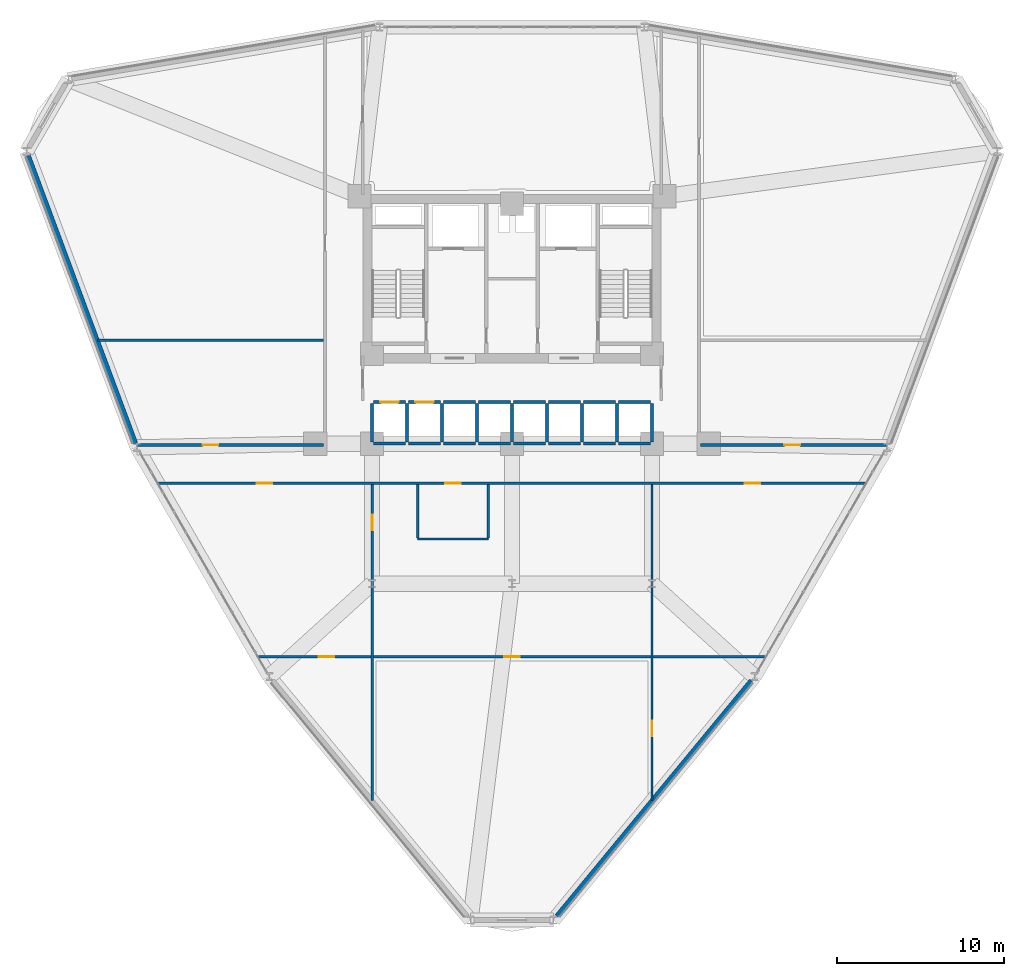
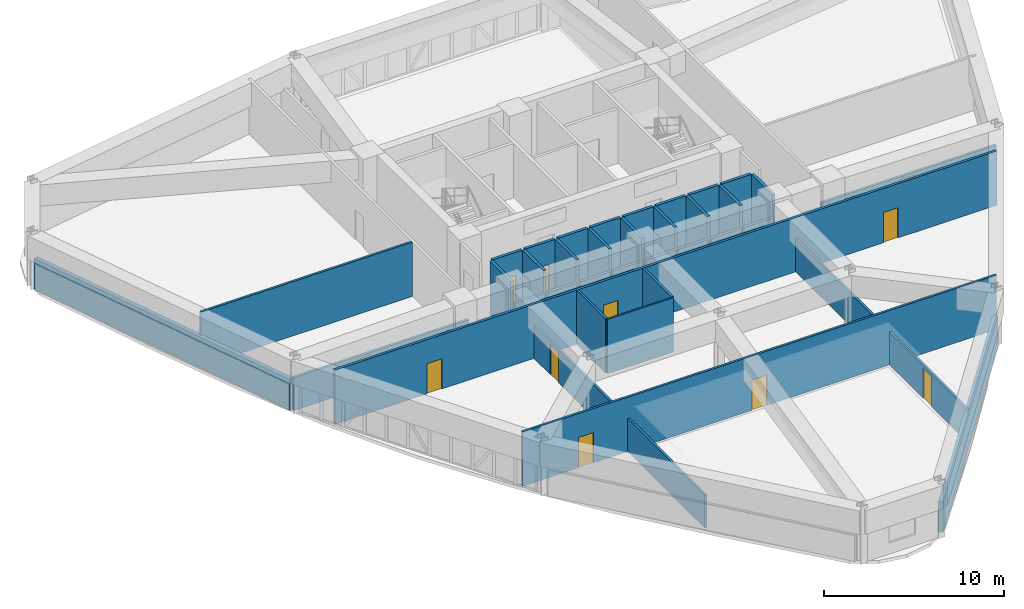
# One storey, part 15 of 20: 37 walls, 11 doors, 11 openings.
"""IFC4 building model written with IfcOpenShell, lengths in metres."""

from ifc_helpers import new_model, si_unit, derived_unit, direction, frame, frame_2d, origin, place, context, subcontext, project, spatial, rectangle, extrude, material, layer, layer_set, type_object, element, fill, save


model = new_model("IFC4")

# Units and contexts
model_context = context("Model", 3, precision=1e-05, world=origin(), true_north=direction((0.0, 1.0)))
body_context = subcontext(model_context, "Body", "Model", "MODEL_VIEW")
ifc_project = project(units=[si_unit("LENGTHUNIT", "METRE"), si_unit("AREAUNIT", "SQUARE_METRE"), si_unit("VOLUMEUNIT", "CUBIC_METRE"), si_unit("PLANEANGLEUNIT", "RADIAN"), si_unit("MASSUNIT", "GRAM", prefix="KILO"), derived_unit("THERMALTRANSMITTANCEUNIT", [(si_unit("POWERUNIT", "WATT"), 1), (si_unit("LENGTHUNIT", "METRE"), -2), (si_unit("THERMODYNAMICTEMPERATUREUNIT", "KELVIN"), -1)])], contexts=[model_context])

# Site, building, storey
site_placement = place(None, origin())
site = spatial("IfcSite", under=ifc_project, at=site_placement, CompositionType="ELEMENT")
building_placement = place(site_placement, origin())
building = spatial("IfcBuilding", under=site, at=building_placement, Name="Korsvarv Bourse and Concert Hall", CompositionType="ELEMENT")
storey_placement = place(building_placement, frame((0.0, 0.0, 39.60009765625)))
storey = spatial("IfcBuildingStorey", under=building, at=storey_placement, Name="L09", CompositionType="ELEMENT", Elevation=39.60009765625)

# Walls
ifc_material_1 = material(Name="Precast concrete C45/55 with fluted terracotta pier", Category="concrete")
ifc_layer_1 = layer(ifc_material_1, 0.280029296875)
ifc_layer_set_1 = layer_set([ifc_layer_1], Name="Precast concrete C45/55 with fluted terracotta pier")
wall_type_1 = type_object("IfcWallType", Name="WL-EXT-TC2", PredefinedType="SOLIDWALL", material=ifc_layer_set_1)
wall_1_placement = place(storey_placement, frame((6.96044921875, 49.69775390625, 0.0), z_axis=(0.0, 0.0, 1.0), x_axis=(0.349439969545, -0.936958754527, 0.0)))
element("IfcWall", 1, at=wall_1_placement, inside=storey, type_object=wall_type_1, Name="L09 terracotta exterior wall EW-L09-B06", PredefinedType="SOLIDWALL", context=body_context, shape_type="SweptSolid", body=[
    extrude(rectangle(XDim=18.44189453125, YDim=0.280029296875, at=frame_2d((9.220947265625, 0.0))), origin(), (0.0, 0.0, 1.0), 2.079833984375),
])
wall_2_placement = place(storey_placement, frame((38.692626953125, 4.044921875, 0.0), z_axis=(0.0, 0.0, 1.0), x_axis=(0.636707615974, 0.771105318203, 0.0)))
element("IfcWall", 2, at=wall_2_placement, inside=storey, type_object=wall_type_1, Name="L09 terracotta exterior wall EW-L09-B10", PredefinedType="SOLIDWALL", context=body_context, shape_type="SweptSolid", body=[
    extrude(rectangle(XDim=18.330810546875, YDim=0.280029296875, at=frame_2d((9.16552734375, 0.0))), origin(), (0.0, 0.0, 1.0), 2.079833984375),
])

# Wall, openings, doors
ifc_material_2 = material(Name="Double-stud fire-rated acoustic partition", Category="gypsum")
ifc_layer_2 = layer(ifc_material_2, 0.159912109375)
ifc_layer_set_2 = layer_set([ifc_layer_2], Name="Double-stud fire-rated acoustic partition")
wall_type_2 = type_object("IfcWallType", Name="WL-INT-EI60", PredefinedType="PARTITIONING", material=ifc_layer_set_2)
wall_3_placement = place(storey_placement, frame((14.75732421875, 30.02490234375, 0.0), z_axis=(0.0, 0.0, 1.0), x_axis=(1.0, 0.0, 0.0)))
wall_3 = element("IfcWall", 3, at=wall_3_placement, inside=storey, type_object=wall_type_2, Name="L09 interior partition wall W-L09-TCOR-01", PredefinedType="PARTITIONING", context=body_context, shape_type="SweptSolid", body=[
    extrude(rectangle(XDim=42.4853515625, YDim=0.159912109375, at=frame_2d((21.24267578125, 0.0))), origin(), (0.0, 0.0, 1.0), 3.679931640625),
])
opening_1_placement = place(wall_3_placement, frame((17.227783203125, 0.0, 0.0)))
opening_1 = element("IfcOpeningElement", 4, at=opening_1_placement, cuts=wall_3, Name="Opening D-02", PredefinedType="OPENING", context=body_context, shape_type="SweptSolid", body=[
    extrude(rectangle(XDim=0.949951171875, YDim=2.050048828125, at=frame_2d((0.47509765625, 1.02490234375))), frame((0.0, 0.08984375, 0.0), z_axis=(0.0, -1.0, 0.0), x_axis=(1.0, 0.0, 0.0)), (0.0, 0.0, 1.0), 0.179931640625),
])
opening_2_placement = place(wall_3_placement, frame((5.908447265625, 0.0, 0.0)))
opening_2 = element("IfcOpeningElement", 5, at=opening_2_placement, cuts=wall_3, Name="Opening D-02", PredefinedType="OPENING", context=body_context, shape_type="SweptSolid", body=[
    extrude(rectangle(XDim=0.949951171875, YDim=2.050048828125, at=frame_2d((0.47509765625, 1.02490234375))), frame((0.0, 0.08984375, 0.0), z_axis=(0.0, -1.0, 0.0), x_axis=(1.0, 0.0, 0.0)), (0.0, 0.0, 1.0), 0.179931640625),
])
opening_3_placement = place(wall_3_placement, frame((35.19921875, 0.0, 0.0)))
opening_3 = element("IfcOpeningElement", 6, at=opening_3_placement, cuts=wall_3, Name="Opening D-02", PredefinedType="OPENING", context=body_context, shape_type="SweptSolid", body=[
    extrude(rectangle(XDim=0.949951171875, YDim=2.050048828125, at=frame_2d((0.47509765625, 1.02490234375))), frame((0.0, 0.08984375, 0.0), z_axis=(0.0, -1.0, 0.0), x_axis=(1.0, 0.0, 0.0)), (0.0, 0.0, 1.0), 0.179931640625),
])
ifc_material_3 = material(Name="Timber and steel acoustic fire door", Category="wood")
door_type_1 = type_object("IfcDoorType", Name="DR-FD30", OperationType="NOTDEFINED", PredefinedType="DOOR", material=ifc_material_3)
door_1_placement = place(opening_1_placement, origin())
door_1 = element("IfcDoor", 7, at=door_1_placement, inside=storey, type_object=door_type_1, Name="L09 interior door DR-L09-TCOR-RWC", OperationType="SINGLE_SWING_RIGHT", OverallHeight=2.050048828125, OverallWidth=0.949951171875, PredefinedType="DOOR", context=body_context, shape_type="SweptSolid", body=[
    extrude(rectangle(XDim=0.949951171875, YDim=2.050048828125, at=frame_2d((0.47509765625, 1.02490234375))), frame((0.0, 0.02490234375, 0.0), z_axis=(0.0, -1.0, 0.0), x_axis=(1.0, 0.0, 0.0)), (0.0, 0.0, 1.0), 0.050048828125),
])
fill(opening_1, door_1)
door_2_placement = place(opening_2_placement, origin())
door_2 = element("IfcDoor", 8, at=door_2_placement, inside=storey, type_object=door_type_1, Name="L09 interior door DR-L09-TCOR-FI34", OperationType="SINGLE_SWING_LEFT", OverallHeight=2.050048828125, OverallWidth=0.949951171875, PredefinedType="DOOR", context=body_context, shape_type="SweptSolid", body=[
    extrude(rectangle(XDim=0.949951171875, YDim=2.050048828125, at=frame_2d((0.47509765625, 1.02490234375))), frame((0.0, 0.02490234375, 0.0), z_axis=(0.0, -1.0, 0.0), x_axis=(1.0, 0.0, 0.0)), (0.0, 0.0, 1.0), 0.050048828125),
])
fill(opening_2, door_2)
door_3_placement = place(opening_3_placement, origin())
door_3 = element("IfcDoor", 9, at=door_3_placement, inside=storey, type_object=door_type_1, Name="L09 interior door DR-L09-TCOR-FI48", OperationType="SINGLE_SWING_RIGHT", OverallHeight=2.050048828125, OverallWidth=0.949951171875, PredefinedType="DOOR", context=body_context, shape_type="SweptSolid", body=[
    extrude(rectangle(XDim=0.949951171875, YDim=2.050048828125, at=frame_2d((0.47509765625, 1.02490234375))), frame((0.0, 0.02490234375, 0.0), z_axis=(0.0, -1.0, 0.0), x_axis=(1.0, 0.0, 0.0)), (0.0, 0.0, 1.0), 0.050048828125),
])
fill(opening_3, door_3)

# Wall, opening, door
wall_4_placement = place(storey_placement, frame((47.306884765625, 32.31494140625, 0.0), z_axis=(0.0, 0.0, 1.0), x_axis=(1.0, 0.0, 0.0)))
wall_4 = element("IfcWall", 10, at=wall_4_placement, inside=storey, type_object=wall_type_2, Name="L09 interior partition wall W-L09-TCOR-04", PredefinedType="PARTITIONING", context=body_context, shape_type="SweptSolid", body=[
    extrude(rectangle(XDim=11.229736328125, YDim=0.159912109375, at=frame_2d((5.61474609375, 0.0))), origin(), (0.0, 0.0, 1.0), 2.239990234375),
])
opening_4_placement = place(wall_4_placement, frame((5.03271484375, 0.0, 0.0)))
opening_4 = element("IfcOpeningElement", 11, at=opening_4_placement, cuts=wall_4, Name="Opening D-02", PredefinedType="OPENING", context=body_context, shape_type="SweptSolid", body=[
    extrude(rectangle(XDim=0.949951171875, YDim=2.050048828125, at=frame_2d((0.47509765625, 1.02490234375))), frame((0.0, 0.08984375, 0.0), z_axis=(0.0, -1.0, 0.0), x_axis=(1.0, 0.0, 0.0)), (0.0, 0.0, 1.0), 0.179931640625),
])
door_4_placement = place(opening_4_placement, origin())
door_4 = element("IfcDoor", 12, at=door_4_placement, inside=storey, type_object=door_type_1, Name="L09 interior door DR-L09-TCOR-FI71", OperationType="SINGLE_SWING_LEFT", OverallHeight=2.050048828125, OverallWidth=0.949951171875, PredefinedType="DOOR", context=body_context, shape_type="SweptSolid", body=[
    extrude(rectangle(XDim=0.949951171875, YDim=2.050048828125, at=frame_2d((0.47509765625, 1.02490234375))), frame((0.0, 0.02490234375, 0.0), z_axis=(0.0, -1.0, 0.0), x_axis=(1.0, 0.0, 0.0)), (0.0, 0.0, 1.0), 0.050048828125),
])
fill(opening_4, door_4)

wall_5_placement = place(storey_placement, frame((13.46337890625, 32.31494140625, 0.0), z_axis=(0.0, 0.0, 1.0), x_axis=(1.0, 0.0, 0.0)))
wall_5 = element("IfcWall", 13, at=wall_5_placement, inside=storey, type_object=wall_type_2, Name="L09 interior partition wall W-L09-TCOR-05", PredefinedType="PARTITIONING", context=body_context, shape_type="SweptSolid", body=[
    extrude(rectangle(XDim=11.229736328125, YDim=0.159912109375, at=frame_2d((5.61474609375, 0.0))), origin(), (0.0, 0.0, 1.0), 2.239990234375),
])
opening_5_placement = place(wall_5_placement, frame((3.961669921875, 0.0, 0.0)))
opening_5 = element("IfcOpeningElement", 14, at=opening_5_placement, cuts=wall_5, Name="Opening D-02", PredefinedType="OPENING", context=body_context, shape_type="SweptSolid", body=[
    extrude(rectangle(XDim=0.949951171875, YDim=2.050048828125, at=frame_2d((0.47509765625, 1.02490234375))), frame((0.0, 0.08984375, 0.0), z_axis=(0.0, -1.0, 0.0), x_axis=(1.0, 0.0, 0.0)), (0.0, 0.0, 1.0), 0.179931640625),
])
door_5_placement = place(opening_5_placement, origin())
door_5 = element("IfcDoor", 15, at=door_5_placement, inside=storey, type_object=door_type_1, Name="L09 interior door DR-L09-TCOR-FI510", OperationType="SINGLE_SWING_RIGHT", OverallHeight=2.050048828125, OverallWidth=0.949951171875, PredefinedType="DOOR", context=body_context, shape_type="SweptSolid", body=[
    extrude(rectangle(XDim=0.949951171875, YDim=2.050048828125, at=frame_2d((0.47509765625, 1.02490234375))), frame((0.0, 0.02490234375, 0.0), z_axis=(0.0, -1.0, 0.0), x_axis=(1.0, 0.0, 0.0)), (0.0, 0.0, 1.0), 0.050048828125),
])
fill(opening_5, door_5)

ifc_material_4 = material(Name="Gypsum-clad autoclaved concrete shaft wall C30/37", Category="concrete")
ifc_layer_3 = layer(ifc_material_4, 0.179931640625)
ifc_layer_set_3 = layer_set([ifc_layer_3], Name="Gypsum-clad autoclaved concrete shaft wall C30/37")
wall_type_3 = type_object("IfcWallType", Name="WL-INT-EI90", PredefinedType="PARTITIONING", material=ifc_layer_set_3)
wall_6_placement = place(storey_placement, frame((27.68994140625, 34.89990234375, 0.0), z_axis=(0.0, 0.0, 1.0), x_axis=(1.0, 0.0, 0.0)))
wall_6 = element("IfcWall", 16, at=wall_6_placement, inside=storey, type_object=wall_type_3, Name="L09 interior partition wall W-L09-SHFN-PL1", PredefinedType="PARTITIONING", context=body_context, shape_type="SweptSolid", body=[
    extrude(rectangle(XDim=1.920166015625, YDim=0.179931640625, at=frame_2d((0.9599609375, 0.0))), origin(), (0.0, 0.0, 1.0), 3.679931640625),
])
opening_6_placement = place(wall_6_placement, frame((0.409912109375, 0.0, 0.0)))
opening_6 = element("IfcOpeningElement", 17, at=opening_6_placement, cuts=wall_6, Name="Opening LD-2", PredefinedType="OPENING", context=body_context, shape_type="SweptSolid", body=[
    extrude(rectangle(XDim=1.10009765625, YDim=2.10009765625, at=frame_2d((0.550048828125, 1.050048828125))), frame((0.0, 0.10009765625, 0.0), z_axis=(0.0, -1.0, 0.0), x_axis=(1.0, 0.0, 0.0)), (0.0, 0.0, 1.0), 0.199951171875),
])
ifc_material_5 = material(Name="Brushed stainless Steel S355 lift landing door", Category="steel")
door_type_2 = type_object("IfcDoorType", Name="DR-LIFT-P", OperationType="DOUBLE_DOOR_SLIDING", PredefinedType="DOOR", material=ifc_material_5)
door_6_placement = place(opening_6_placement, origin())
door_6 = element("IfcDoor", 18, at=door_6_placement, inside=storey, type_object=door_type_2, Name="L09 lift sliding landing door LD-L09-PL1", OperationType="DOUBLE_DOOR_SLIDING", OverallHeight=2.10009765625, OverallWidth=1.10009765625, PredefinedType="DOOR", context=body_context, shape_type="SweptSolid", body=[
    extrude(rectangle(XDim=1.10009765625, YDim=2.10009765625, at=frame_2d((0.550048828125, 1.050048828125))), frame((0.0, 0.02490234375, 0.0), z_axis=(0.0, -1.0, 0.0), x_axis=(1.0, 0.0, 0.0)), (0.0, 0.0, 1.0), 0.050048828125),
])
fill(opening_6, door_6)

# Walls
wall_7_placement = place(storey_placement, frame((27.68994140625, 32.39990234375, 0.0), z_axis=(0.0, 0.0, 1.0), x_axis=(1.0, 0.0, 0.0)))
element("IfcWall", 19, at=wall_7_placement, inside=storey, type_object=wall_type_3, Name="L09 interior partition wall W-L09-SHFS-PL1", PredefinedType="PARTITIONING", context=body_context, shape_type="SweptSolid", body=[
    extrude(rectangle(XDim=1.920166015625, YDim=0.179931640625, at=frame_2d((0.9599609375, 0.0))), origin(), (0.0, 0.0, 1.0), 2.239990234375),
])
wall_8_placement = place(storey_placement, frame((27.60009765625, 32.489990234375, 0.0), z_axis=(0.0, 0.0, 1.0), x_axis=(0.0, 1.0, 0.0)))
element("IfcWall", 20, at=wall_8_placement, inside=storey, type_object=wall_type_3, Name="L09 interior partition wall W-L09-SHFW-PL1", PredefinedType="PARTITIONING", context=body_context, shape_type="SweptSolid", body=[
    extrude(rectangle(XDim=2.320068359375, YDim=0.179931640625, at=frame_2d((1.16015625, 0.0))), origin(), (0.0, 0.0, 1.0), 3.679931640625),
])

# Wall, opening, door
wall_9_placement = place(storey_placement, frame((29.7900390625, 34.89990234375, 0.0), z_axis=(0.0, 0.0, 1.0), x_axis=(1.0, 0.0, 0.0)))
wall_9 = element("IfcWall", 21, at=wall_9_placement, inside=storey, type_object=wall_type_3, Name="L09 interior partition wall W-L09-SHFN-PL2", PredefinedType="PARTITIONING", context=body_context, shape_type="SweptSolid", body=[
    extrude(rectangle(XDim=1.919921875, YDim=0.179931640625, at=frame_2d((0.9599609375, 0.0))), origin(), (0.0, 0.0, 1.0), 3.679931640625),
])
opening_7_placement = place(wall_9_placement, frame((0.409912109375, 0.0, 0.0)))
opening_7 = element("IfcOpeningElement", 22, at=opening_7_placement, cuts=wall_9, Name="Opening LD-2", PredefinedType="OPENING", context=body_context, shape_type="SweptSolid", body=[
    extrude(rectangle(XDim=1.10009765625, YDim=2.10009765625, at=frame_2d((0.550048828125, 1.050048828125))), frame((0.0, 0.10009765625, 0.0), z_axis=(0.0, -1.0, 0.0), x_axis=(1.0, 0.0, 0.0)), (0.0, 0.0, 1.0), 0.199951171875),
])
door_7_placement = place(opening_7_placement, origin())
door_7 = element("IfcDoor", 23, at=door_7_placement, inside=storey, type_object=door_type_2, Name="L09 lift sliding landing door LD-L09-PL2", OperationType="DOUBLE_DOOR_SLIDING", OverallHeight=2.10009765625, OverallWidth=1.10009765625, PredefinedType="DOOR", context=body_context, shape_type="SweptSolid", body=[
    extrude(rectangle(XDim=1.10009765625, YDim=2.10009765625, at=frame_2d((0.550048828125, 1.050048828125))), frame((0.0, 0.02490234375, 0.0), z_axis=(0.0, -1.0, 0.0), x_axis=(1.0, 0.0, 0.0)), (0.0, 0.0, 1.0), 0.050048828125),
])
fill(opening_7, door_7)

# Walls
wall_10_placement = place(storey_placement, frame((29.7900390625, 32.39990234375, 0.0), z_axis=(0.0, 0.0, 1.0), x_axis=(1.0, 0.0, 0.0)))
element("IfcWall", 24, at=wall_10_placement, inside=storey, type_object=wall_type_3, Name="L09 interior partition wall W-L09-SHFS-PL2", PredefinedType="PARTITIONING", context=body_context, shape_type="SweptSolid", body=[
    extrude(rectangle(XDim=1.919921875, YDim=0.179931640625, at=frame_2d((0.9599609375, 0.0))), origin(), (0.0, 0.0, 1.0), 2.239990234375),
])
wall_11_placement = place(storey_placement, frame((29.699951171875, 32.489990234375, 0.0), z_axis=(0.0, 0.0, 1.0), x_axis=(0.0, 1.0, 0.0)))
element("IfcWall", 25, at=wall_11_placement, inside=storey, type_object=wall_type_3, Name="L09 interior partition wall W-L09-SHFW-PL2", PredefinedType="PARTITIONING", context=body_context, shape_type="SweptSolid", body=[
    extrude(rectangle(XDim=2.320068359375, YDim=0.179931640625, at=frame_2d((1.16015625, 0.0))), origin(), (0.0, 0.0, 1.0), 3.679931640625),
])
wall_12_placement = place(storey_placement, frame((31.889892578125, 34.89990234375, 0.0), z_axis=(0.0, 0.0, 1.0), x_axis=(1.0, 0.0, 0.0)))
element("IfcWall", 26, at=wall_12_placement, inside=storey, type_object=wall_type_3, Name="L09 interior partition wall W-L09-SHFN-PM1", PredefinedType="PARTITIONING", context=body_context, shape_type="SweptSolid", body=[
    extrude(rectangle(XDim=1.920166015625, YDim=0.179931640625, at=frame_2d((0.9599609375, 0.0))), origin(), (0.0, 0.0, 1.0), 3.679931640625),
])
wall_13_placement = place(storey_placement, frame((31.889892578125, 32.39990234375, 0.0), z_axis=(0.0, 0.0, 1.0), x_axis=(1.0, 0.0, 0.0)))
element("IfcWall", 27, at=wall_13_placement, inside=storey, type_object=wall_type_3, Name="L09 interior partition wall W-L09-SHFS-PM1", PredefinedType="PARTITIONING", context=body_context, shape_type="SweptSolid", body=[
    extrude(rectangle(XDim=1.920166015625, YDim=0.179931640625, at=frame_2d((0.9599609375, 0.0))), origin(), (0.0, 0.0, 1.0), 2.239990234375),
])
wall_14_placement = place(storey_placement, frame((31.800048828125, 32.489990234375, 0.0), z_axis=(0.0, 0.0, 1.0), x_axis=(0.0, 1.0, 0.0)))
element("IfcWall", 28, at=wall_14_placement, inside=storey, type_object=wall_type_3, Name="L09 interior partition wall W-L09-SHFW-PM1", PredefinedType="PARTITIONING", context=body_context, shape_type="SweptSolid", body=[
    extrude(rectangle(XDim=2.320068359375, YDim=0.179931640625, at=frame_2d((1.16015625, 0.0))), origin(), (0.0, 0.0, 1.0), 3.679931640625),
])
wall_15_placement = place(storey_placement, frame((33.989990234375, 34.89990234375, 0.0), z_axis=(0.0, 0.0, 1.0), x_axis=(1.0, 0.0, 0.0)))
element("IfcWall", 29, at=wall_15_placement, inside=storey, type_object=wall_type_3, Name="L09 interior partition wall W-L09-SHFN-PM2", PredefinedType="PARTITIONING", context=body_context, shape_type="SweptSolid", body=[
    extrude(rectangle(XDim=1.919921875, YDim=0.179931640625, at=frame_2d((0.9599609375, 0.0))), origin(), (0.0, 0.0, 1.0), 3.679931640625),
])
wall_16_placement = place(storey_placement, frame((33.989990234375, 32.39990234375, 0.0), z_axis=(0.0, 0.0, 1.0), x_axis=(1.0, 0.0, 0.0)))
element("IfcWall", 30, at=wall_16_placement, inside=storey, type_object=wall_type_3, Name="L09 interior partition wall W-L09-SHFS-PM2", PredefinedType="PARTITIONING", context=body_context, shape_type="SweptSolid", body=[
    extrude(rectangle(XDim=1.919921875, YDim=0.179931640625, at=frame_2d((0.9599609375, 0.0))), origin(), (0.0, 0.0, 1.0), 2.239990234375),
])
wall_17_placement = place(storey_placement, frame((33.89990234375, 32.489990234375, 0.0), z_axis=(0.0, 0.0, 1.0), x_axis=(0.0, 1.0, 0.0)))
element("IfcWall", 31, at=wall_17_placement, inside=storey, type_object=wall_type_3, Name="L09 interior partition wall W-L09-SHFW-PM2", PredefinedType="PARTITIONING", context=body_context, shape_type="SweptSolid", body=[
    extrude(rectangle(XDim=2.320068359375, YDim=0.179931640625, at=frame_2d((1.16015625, 0.0))), origin(), (0.0, 0.0, 1.0), 3.679931640625),
])
wall_18_placement = place(storey_placement, frame((36.090087890625, 34.89990234375, 0.0), z_axis=(0.0, 0.0, 1.0), x_axis=(1.0, 0.0, 0.0)))
element("IfcWall", 32, at=wall_18_placement, inside=storey, type_object=wall_type_3, Name="L09 interior partition wall W-L09-SHFN-PH1", PredefinedType="PARTITIONING", context=body_context, shape_type="SweptSolid", body=[
    extrude(rectangle(XDim=1.919921875, YDim=0.179931640625, at=frame_2d((0.9599609375, 0.0))), origin(), (0.0, 0.0, 1.0), 3.679931640625),
])
wall_19_placement = place(storey_placement, frame((36.090087890625, 32.39990234375, 0.0), z_axis=(0.0, 0.0, 1.0), x_axis=(1.0, 0.0, 0.0)))
element("IfcWall", 33, at=wall_19_placement, inside=storey, type_object=wall_type_3, Name="L09 interior partition wall W-L09-SHFS-PH1", PredefinedType="PARTITIONING", context=body_context, shape_type="SweptSolid", body=[
    extrude(rectangle(XDim=1.919921875, YDim=0.179931640625, at=frame_2d((0.9599609375, 0.0))), origin(), (0.0, 0.0, 1.0), 2.239990234375),
])
wall_20_placement = place(storey_placement, frame((36.0, 32.489990234375, 0.0), z_axis=(0.0, 0.0, 1.0), x_axis=(0.0, 1.0, 0.0)))
element("IfcWall", 34, at=wall_20_placement, inside=storey, type_object=wall_type_3, Name="L09 interior partition wall W-L09-SHFW-PH1", PredefinedType="PARTITIONING", context=body_context, shape_type="SweptSolid", body=[
    extrude(rectangle(XDim=2.320068359375, YDim=0.179931640625, at=frame_2d((1.16015625, 0.0))), origin(), (0.0, 0.0, 1.0), 3.679931640625),
])
wall_21_placement = place(storey_placement, frame((38.18994140625, 34.89990234375, 0.0), z_axis=(0.0, 0.0, 1.0), x_axis=(1.0, 0.0, 0.0)))
element("IfcWall", 35, at=wall_21_placement, inside=storey, type_object=wall_type_3, Name="L09 interior partition wall W-L09-SHFN-PH2", PredefinedType="PARTITIONING", context=body_context, shape_type="SweptSolid", body=[
    extrude(rectangle(XDim=1.920166015625, YDim=0.179931640625, at=frame_2d((0.9599609375, 0.0))), origin(), (0.0, 0.0, 1.0), 3.679931640625),
])
wall_22_placement = place(storey_placement, frame((38.18994140625, 32.39990234375, 0.0), z_axis=(0.0, 0.0, 1.0), x_axis=(1.0, 0.0, 0.0)))
element("IfcWall", 36, at=wall_22_placement, inside=storey, type_object=wall_type_3, Name="L09 interior partition wall W-L09-SHFS-PH2", PredefinedType="PARTITIONING", context=body_context, shape_type="SweptSolid", body=[
    extrude(rectangle(XDim=1.920166015625, YDim=0.179931640625, at=frame_2d((0.9599609375, 0.0))), origin(), (0.0, 0.0, 1.0), 2.239990234375),
])
wall_23_placement = place(storey_placement, frame((38.10009765625, 32.489990234375, 0.0), z_axis=(0.0, 0.0, 1.0), x_axis=(0.0, 1.0, 0.0)))
element("IfcWall", 37, at=wall_23_placement, inside=storey, type_object=wall_type_3, Name="L09 interior partition wall W-L09-SHFW-PH2", PredefinedType="PARTITIONING", context=body_context, shape_type="SweptSolid", body=[
    extrude(rectangle(XDim=2.320068359375, YDim=0.179931640625, at=frame_2d((1.16015625, 0.0))), origin(), (0.0, 0.0, 1.0), 3.679931640625),
])
wall_24_placement = place(storey_placement, frame((40.2900390625, 34.89990234375, 0.0), z_axis=(0.0, 0.0, 1.0), x_axis=(1.0, 0.0, 0.0)))
element("IfcWall", 38, at=wall_24_placement, inside=storey, type_object=wall_type_3, Name="L09 interior partition wall W-L09-SHFN-PO1", PredefinedType="PARTITIONING", context=body_context, shape_type="SweptSolid", body=[
    extrude(rectangle(XDim=1.919921875, YDim=0.179931640625, at=frame_2d((0.9599609375, 0.0))), origin(), (0.0, 0.0, 1.0), 3.679931640625),
])
wall_25_placement = place(storey_placement, frame((40.2900390625, 32.39990234375, 0.0), z_axis=(0.0, 0.0, 1.0), x_axis=(1.0, 0.0, 0.0)))
element("IfcWall", 39, at=wall_25_placement, inside=storey, type_object=wall_type_3, Name="L09 interior partition wall W-L09-SHFS-PO1", PredefinedType="PARTITIONING", context=body_context, shape_type="SweptSolid", body=[
    extrude(rectangle(XDim=1.919921875, YDim=0.179931640625, at=frame_2d((0.9599609375, 0.0))), origin(), (0.0, 0.0, 1.0), 2.239990234375),
])
wall_26_placement = place(storey_placement, frame((40.199951171875, 32.489990234375, 0.0), z_axis=(0.0, 0.0, 1.0), x_axis=(0.0, 1.0, 0.0)))
element("IfcWall", 40, at=wall_26_placement, inside=storey, type_object=wall_type_3, Name="L09 interior partition wall W-L09-SHFW-PO1", PredefinedType="PARTITIONING", context=body_context, shape_type="SweptSolid", body=[
    extrude(rectangle(XDim=2.320068359375, YDim=0.179931640625, at=frame_2d((1.16015625, 0.0))), origin(), (0.0, 0.0, 1.0), 3.679931640625),
])
wall_27_placement = place(storey_placement, frame((42.389892578125, 34.89990234375, 0.0), z_axis=(0.0, 0.0, 1.0), x_axis=(1.0, 0.0, 0.0)))
element("IfcWall", 41, at=wall_27_placement, inside=storey, type_object=wall_type_3, Name="L09 interior partition wall W-L09-SHFN-PO2", PredefinedType="PARTITIONING", context=body_context, shape_type="SweptSolid", body=[
    extrude(rectangle(XDim=1.920166015625, YDim=0.179931640625, at=frame_2d((0.9599609375, 0.0))), origin(), (0.0, 0.0, 1.0), 3.679931640625),
])
wall_28_placement = place(storey_placement, frame((42.389892578125, 32.39990234375, 0.0), z_axis=(0.0, 0.0, 1.0), x_axis=(1.0, 0.0, 0.0)))
element("IfcWall", 42, at=wall_28_placement, inside=storey, type_object=wall_type_3, Name="L09 interior partition wall W-L09-SHFS-PO2", PredefinedType="PARTITIONING", context=body_context, shape_type="SweptSolid", body=[
    extrude(rectangle(XDim=1.920166015625, YDim=0.179931640625, at=frame_2d((0.9599609375, 0.0))), origin(), (0.0, 0.0, 1.0), 2.239990234375),
])
for number, where, z_axis, x_axis, name in (
    (43, (42.300048828125, 32.489990234375, 0.0), (0.0, 0.0, 1.0), (0.0, 1.0, 0.0), "L09 interior partition wall W-L09-SHFW-PO2"),
    (44, (44.39990234375, 32.489990234375, 0.0), (0.0, 0.0, 1.0), (0.0, 1.0, 0.0), "L09 interior partition wall W-L09-SHFE-END"),
):
    element("IfcWall", number, at=place(storey_placement, frame(where, z_axis=z_axis, x_axis=x_axis)), inside=storey, type_object=wall_type_3, Name=name, PredefinedType="PARTITIONING", context=body_context, shape_type="SweptSolid", body=[
        extrude(rectangle(XDim=2.320068359375, YDim=0.179931640625, at=frame_2d((1.16015625, 0.0))), origin(), (0.0, 0.0, 1.0), 3.679931640625),
    ])
ifc_material_6 = material(Name="Demountable acoustic glass and aluminium dealing partition", Category="aluminium")
ifc_layer_4 = layer(ifc_material_6, 0.110107421875)
ifc_layer_set_4 = layer_set([ifc_layer_4], Name="Demountable acoustic glass and aluminium dealing partition")
wall_type_4 = type_object("IfcWallType", Name="WL-INT-MOV", PredefinedType="MOVABLE", material=ifc_layer_set_4)
wall_29_placement = place(storey_placement, frame((30.340087890625, 26.675048828125, 0.0), z_axis=(0.0, 0.0, 1.0), x_axis=(1.0, 0.0, 0.0)))
element("IfcWall", 45, at=wall_29_placement, inside=storey, type_object=wall_type_4, Name="L09 interior partition wall W-L09-TCOR-13", PredefinedType="MOVABLE", context=body_context, shape_type="SweptSolid", body=[
    extrude(rectangle(XDim=4.239990234375, YDim=0.110107421875, at=frame_2d((2.1201171875, 0.0))), origin(), (0.0, 0.0, 1.0), 3.679931640625),
])

# Wall, openings, doors
ifc_material_7 = material(Name="Insulated steel-stud office acoustic partition", Category="gypsum")
ifc_layer_5 = layer(ifc_material_7, 0.139892578125)
ifc_layer_set_5 = layer_set([ifc_layer_5], Name="Insulated steel-stud office acoustic partition")
wall_type_5 = type_object("IfcWallType", Name="WL-INT-P1", PredefinedType="PARTITIONING", material=ifc_layer_set_5)
wall_30_placement = place(storey_placement, frame((20.773193359375, 19.60498046875, 0.0), z_axis=(0.0, 0.0, 1.0), x_axis=(1.0, 0.0, 0.0)))
wall_30 = element("IfcWall", 46, at=wall_30_placement, inside=storey, type_object=wall_type_5, Name="L09 interior partition wall W-L09-TCOR-08", PredefinedType="PARTITIONING", context=body_context, shape_type="SweptSolid", body=[
    extrude(rectangle(XDim=30.45361328125, YDim=0.139892578125, at=frame_2d((15.226806640625, 0.0))), origin(), (0.0, 0.0, 1.0), 3.679931640625),
])
opening_8_placement = place(wall_30_placement, frame((3.62109375, 0.0, 0.0)))
opening_8 = element("IfcOpeningElement", 47, at=opening_8_placement, cuts=wall_30, Name="Opening D-03", PredefinedType="OPENING", context=body_context, shape_type="SweptSolid", body=[
    extrude(rectangle(XDim=0.949951171875, YDim=2.050048828125, at=frame_2d((0.47509765625, 1.02490234375))), frame((0.0, 0.080078125, 0.0), z_axis=(0.0, -1.0, 0.0), x_axis=(1.0, 0.0, 0.0)), (0.0, 0.0, 1.0), 0.159912109375),
])
opening_9_placement = place(wall_30_placement, frame((14.751708984375, 0.0, 0.0)))
opening_9 = element("IfcOpeningElement", 48, at=opening_9_placement, cuts=wall_30, Name="Opening D-03", PredefinedType="OPENING", context=body_context, shape_type="SweptSolid", body=[
    extrude(rectangle(XDim=0.949951171875, YDim=2.050048828125, at=frame_2d((0.47509765625, 1.02490234375))), frame((0.0, 0.080078125, 0.0), z_axis=(0.0, -1.0, 0.0), x_axis=(1.0, 0.0, 0.0)), (0.0, 0.0, 1.0), 0.159912109375),
])
ifc_material_8 = material(Name="Nordic oak acoustic office door", Category="wood")
door_type_3 = type_object("IfcDoorType", Name="DR-INT-1", OperationType="NOTDEFINED", PredefinedType="DOOR", material=ifc_material_8)
door_8_placement = place(opening_8_placement, origin())
door_8 = element("IfcDoor", 49, at=door_8_placement, inside=storey, type_object=door_type_3, Name="L09 interior door DR-L09-TCOR-RM33", OperationType="SINGLE_SWING_RIGHT", OverallHeight=2.050048828125, OverallWidth=0.949951171875, PredefinedType="DOOR", context=body_context, shape_type="SweptSolid", body=[
    extrude(rectangle(XDim=0.949951171875, YDim=2.050048828125, at=frame_2d((0.47509765625, 1.02490234375))), frame((0.0, 0.02490234375, 0.0), z_axis=(0.0, -1.0, 0.0), x_axis=(1.0, 0.0, 0.0)), (0.0, 0.0, 1.0), 0.050048828125),
])
fill(opening_8, door_8)
door_9_placement = place(opening_9_placement, origin())
door_9 = element("IfcDoor", 50, at=door_9_placement, inside=storey, type_object=door_type_3, Name="L09 interior door DR-L09-TCOR-FI25", OperationType="SINGLE_SWING_LEFT", OverallHeight=2.050048828125, OverallWidth=0.949951171875, PredefinedType="DOOR", context=body_context, shape_type="SweptSolid", body=[
    extrude(rectangle(XDim=0.949951171875, YDim=2.050048828125, at=frame_2d((0.47509765625, 1.02490234375))), frame((0.0, 0.02490234375, 0.0), z_axis=(0.0, -1.0, 0.0), x_axis=(1.0, 0.0, 0.0)), (0.0, 0.0, 1.0), 0.050048828125),
])
fill(opening_9, door_9)

# Wall, opening, door
wall_31_placement = place(storey_placement, frame((27.60498046875, 10.97119140625, 0.0), z_axis=(0.0, 0.0, 1.0), x_axis=(0.0, 1.0, 0.0)))
wall_31 = element("IfcWall", 51, at=wall_31_placement, inside=storey, type_object=wall_type_5, Name="L09 interior partition wall W-L09-TCOR-09", PredefinedType="PARTITIONING", context=body_context, shape_type="SweptSolid", body=[
    extrude(rectangle(XDim=18.971923828125, YDim=0.139892578125, at=frame_2d((9.48583984375, 0.0))), origin(), (0.0, 0.0, 1.0), 2.239990234375),
])
opening_10_placement = place(wall_31_placement, frame((16.224609375, 0.0, 0.0)))
opening_10 = element("IfcOpeningElement", 52, at=opening_10_placement, cuts=wall_31, Name="Opening D-03", PredefinedType="OPENING", context=body_context, shape_type="SweptSolid", body=[
    extrude(rectangle(XDim=0.949951171875, YDim=2.050048828125, at=frame_2d((0.47509765625, 1.02490234375))), frame((0.0, 0.080078125, 0.0), z_axis=(0.0, -1.0, 0.0), x_axis=(1.0, 0.0, 0.0)), (0.0, 0.0, 1.0), 0.159912109375),
])
door_10_placement = place(opening_10_placement, origin())
door_10 = element("IfcDoor", 53, at=door_10_placement, inside=storey, type_object=door_type_3, Name="L09 interior door DR-L09-TCOR-FI16", OperationType="SINGLE_SWING_RIGHT", OverallHeight=2.050048828125, OverallWidth=0.949951171875, PredefinedType="DOOR", context=body_context, shape_type="SweptSolid", body=[
    extrude(rectangle(XDim=0.949951171875, YDim=2.050048828125, at=frame_2d((0.47509765625, 1.02490234375))), frame((0.0, 0.02490234375, 0.0), z_axis=(0.0, -1.0, 0.0), x_axis=(1.0, 0.0, 0.0)), (0.0, 0.0, 1.0), 0.050048828125),
])
fill(opening_10, door_10)

wall_32_placement = place(storey_placement, frame((44.405029296875, 10.983154296875, 0.0), z_axis=(0.0, 0.0, 1.0), x_axis=(0.0, 1.0, 0.0)))
wall_32 = element("IfcWall", 54, at=wall_32_placement, inside=storey, type_object=wall_type_5, Name="L09 interior partition wall W-L09-TCOR-10", PredefinedType="PARTITIONING", context=body_context, shape_type="SweptSolid", body=[
    extrude(rectangle(XDim=18.9599609375, YDim=0.139892578125, at=frame_2d((9.47998046875, 0.0))), origin(), (0.0, 0.0, 1.0), 2.239990234375),
])
opening_11_placement = place(wall_32_placement, frame((3.847412109375, 0.0, 0.0)))
opening_11 = element("IfcOpeningElement", 55, at=opening_11_placement, cuts=wall_32, Name="Opening D-03", PredefinedType="OPENING", context=body_context, shape_type="SweptSolid", body=[
    extrude(rectangle(XDim=0.949951171875, YDim=2.050048828125, at=frame_2d((0.47509765625, 1.02490234375))), frame((0.0, 0.080078125, 0.0), z_axis=(0.0, -1.0, 0.0), x_axis=(1.0, 0.0, 0.0)), (0.0, 0.0, 1.0), 0.159912109375),
])
door_11_placement = place(opening_11_placement, origin())
door_11 = element("IfcDoor", 56, at=door_11_placement, inside=storey, type_object=door_type_3, Name="L09 interior door DR-L09-TCOR-RM77", OperationType="SINGLE_SWING_LEFT", OverallHeight=2.050048828125, OverallWidth=0.949951171875, PredefinedType="DOOR", context=body_context, shape_type="SweptSolid", body=[
    extrude(rectangle(XDim=0.949951171875, YDim=2.050048828125, at=frame_2d((0.47509765625, 1.02490234375))), frame((0.0, 0.02490234375, 0.0), z_axis=(0.0, -1.0, 0.0), x_axis=(1.0, 0.0, 0.0)), (0.0, 0.0, 1.0), 0.050048828125),
])
fill(opening_11, door_11)

# Walls
wall_33_placement = place(storey_placement, frame((11.11767578125, 38.60498046875, 0.0), z_axis=(0.0, 0.0, 1.0), x_axis=(1.0, 0.0, 0.0)))
element("IfcWall", 57, at=wall_33_placement, inside=storey, type_object=wall_type_5, Name="L09 interior partition wall W-L09-TCOR-12", PredefinedType="PARTITIONING", context=body_context, shape_type="SweptSolid", body=[
    extrude(rectangle(XDim=13.575439453125, YDim=0.139892578125, at=frame_2d((6.78759765625, 0.0))), origin(), (0.0, 0.0, 1.0), 3.679931640625),
])
for number, where, z_axis, x_axis, name in (
    (58, (34.574951171875, 26.7470703125, 0.0), (0.0, 0.0, 1.0), (0.0, 1.0, 0.0), "L09 interior partition wall W-L09-TCOR-14"),
    (59, (30.344970703125, 26.7470703125, 0.0), (0.0, 0.0, 1.0), (0.0, 1.0, 0.0), "L09 interior partition wall W-L09-TCOR-15"),
):
    element("IfcWall", number, at=place(storey_placement, frame(where, z_axis=z_axis, x_axis=x_axis)), inside=storey, type_object=wall_type_5, Name=name, PredefinedType="PARTITIONING", context=body_context, shape_type="SweptSolid", body=[
        extrude(rectangle(XDim=3.196044921875, YDim=0.139892578125, at=frame_2d((1.59814453125, 0.0))), origin(), (0.0, 0.0, 1.0), 3.679931640625),
    ])

save(model, "model.ifc")
